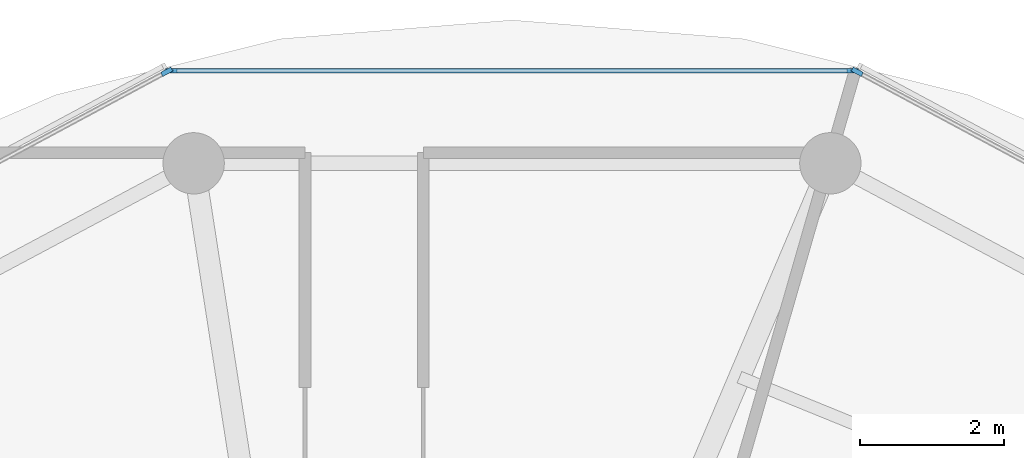
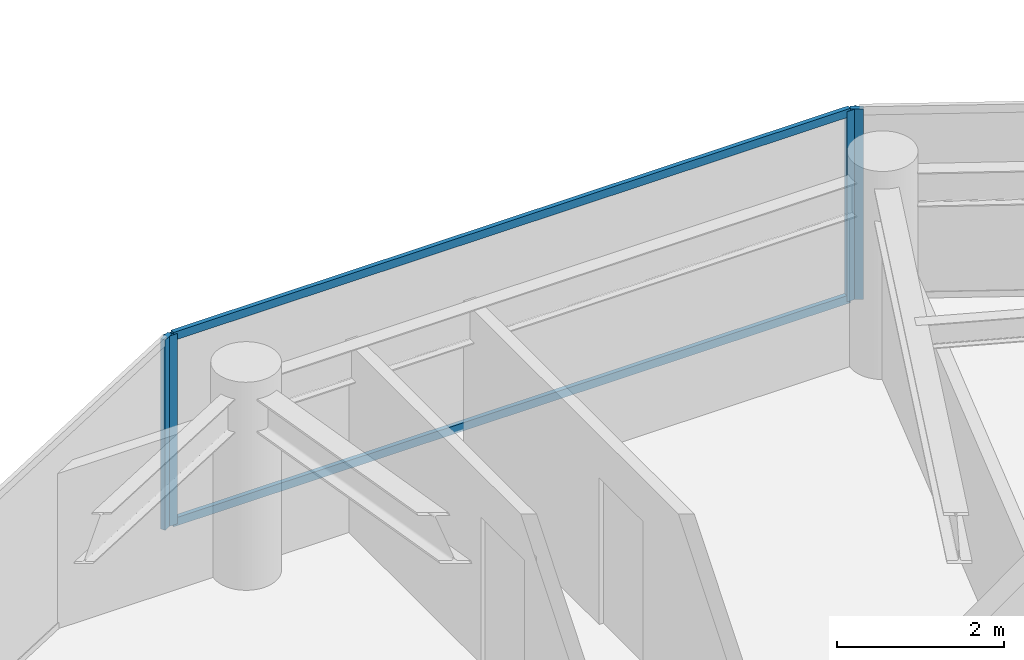
# One storey, part 9 of 22: 6 members, 3 elements without a shape of their own.
"""IFC4 building model written with IfcOpenShell, lengths in metres."""

from ifc_helpers import new_model, si_unit, direction, frame, origin, origin_2d, place, context, subcontext, project, spatial, rectangle, extrude, source, transform, mapped, material, layer, layer_set, material_profile, profile_set, type_object, type_shapes, element, aggregate, save


model = new_model("IFC4")

# Units and contexts
model_context = context("Model", 3, precision=1e-05, world=origin(), true_north=direction((0.0, 1.0)))
body_context = subcontext(model_context, "Body", "Model", "MODEL_VIEW")
ifc_project = project(units=[si_unit("LENGTHUNIT", "METRE"), si_unit("AREAUNIT", "SQUARE_METRE"), si_unit("VOLUMEUNIT", "CUBIC_METRE"), si_unit("PLANEANGLEUNIT", "RADIAN"), si_unit("MASSUNIT", "GRAM", prefix="KILO")], contexts=[model_context])

# Site, building, storey
site_placement = place(None, origin())
site = spatial("IfcSite", under=ifc_project, at=site_placement, CompositionType="ELEMENT")
building_placement = place(site_placement, origin())
building = spatial("IfcBuilding", under=site, at=building_placement, Name="Norrkilde Senior Care Towers", CompositionType="ELEMENT")
storey_placement = place(building_placement, frame((0.0, 0.0, 96.25)))
storey = spatial("IfcBuildingStorey", under=building, at=storey_placement, Name="L29", CompositionType="ELEMENT", Elevation=96.25)

# Curtain wall, member
ifc_material_1 = material(Name="Triple Low-E Insulated Glazing", Category="glass")
ifc_layer = layer(ifc_material_1, 0.195068359375)
ifc_layer_set = layer_set([ifc_layer], Name="Triple Low-E Insulated Glazing")
curtain_wall_type = type_object("IfcCurtainWallType", Name="CW3 Zone 2 Assisted Living Curtain Wall", PredefinedType="NOTDEFINED", material=ifc_layer_set)
curtain_wall_1_placement = place(storey_placement, origin())
curtain_wall_1 = element("IfcCurtainWall", 1, at=curtain_wall_1_placement, inside=storey, type_object=curtain_wall_type, Name="L29 Drum W Curtain Wall 01", PredefinedType="NOTDEFINED")
ifc_material_2 = material(Name="Anodised Aluminium", Category="aluminium")
ifc_material_profile_1 = material_profile(ifc_material_2, rectangle(XDim=0.06494140625, YDim=0.159912109375, at=origin_2d()), Name="ALU MULL 65x160")
ifc_profile_set_1 = profile_set([ifc_material_profile_1], Name="Anodised Aluminium")
member_type_1 = type_object("IfcMemberType", Name="Curtain Wall Mullion Z1-Z2 65x160", PredefinedType="MULLION", material=ifc_profile_set_1)
shared_shape_1 = source(origin(), body_context, "Body", "SweptSolid", [
    extrude(rectangle(XDim=0.06494140625, YDim=0.159912109375, at=origin_2d()), origin(), (0.0, 0.0, 1.0), 2.7900390625),
])
type_shapes(member_type_1, [shared_shape_1])
member_1_placement = place(storey_placement, frame((-21.164306640625, 16.482666015625, 0.0), z_axis=(0.0, 0.0, 1.0), x_axis=(0.472769402511, 0.881186184668, 0.0)))
member_1 = element("IfcMember", 2, at=member_1_placement, type_object=member_type_1, Name="CW-3 mullion 1", PredefinedType="MULLION", context=body_context, shape_type="MappedRepresentation", body=[
    mapped(shared_shape_1, transform((0.0, 0.0, 0.0), x_axis=(1.0, 0.0, 0.0), y_axis=(0.0, 1.0, 0.0), z_axis=(0.0, 0.0, 1.0), scale=1.0)),
])
aggregate(curtain_wall_1, [member_1])

# Curtain wall, members
curtain_wall_2_placement = place(storey_placement, origin())
curtain_wall_2 = element("IfcCurtainWall", 3, at=curtain_wall_2_placement, inside=storey, type_object=curtain_wall_type, Name="L29 Drum W Curtain Wall 02", PredefinedType="NOTDEFINED")
member_2_placement = place(storey_placement, frame((-30.674560546875, 16.498046875, 0.0), z_axis=(0.0, 0.0, 1.0), x_axis=(0.0, 1.0, 0.0)))
member_2 = element("IfcMember", 4, at=member_2_placement, type_object=member_type_1, Name="CW-3 mullion 1", PredefinedType="MULLION", context=body_context, shape_type="MappedRepresentation", body=[
    mapped(shared_shape_1, transform((0.0, 0.0, 0.0), x_axis=(1.0, 0.0, 0.0), y_axis=(0.0, 1.0, 0.0), z_axis=(0.0, 0.0, 1.0), scale=1.0)),
])
member_3_placement = place(storey_placement, frame((-21.225341796875, 16.498046875, 0.0), z_axis=(0.0, 0.0, 1.0), x_axis=(0.0, 1.0, 0.0)))
member_3 = element("IfcMember", 5, at=member_3_placement, type_object=member_type_1, Name="CW-3 mullion 2", PredefinedType="MULLION", context=body_context, shape_type="MappedRepresentation", body=[
    mapped(shared_shape_1, transform((0.0, 0.0, 0.0), x_axis=(1.0, 0.0, 0.0), y_axis=(0.0, 1.0, 0.0), z_axis=(0.0, 0.0, 1.0), scale=1.0)),
])

# Curtain wall, member
curtain_wall_3_placement = place(storey_placement, origin())
curtain_wall_3 = element("IfcCurtainWall", 6, at=curtain_wall_3_placement, inside=storey, type_object=curtain_wall_type, Name="L29 Drum W Curtain Wall 03", PredefinedType="NOTDEFINED")
member_4_placement = place(storey_placement, frame((-30.73583984375, 16.482666015625, 0.0), z_axis=(0.0, 0.0, 1.0), x_axis=(-0.472769402511, 0.881186184668, 0.0)))
member_4 = element("IfcMember", 7, at=member_4_placement, type_object=member_type_1, Name="CW-3 mullion 2", PredefinedType="MULLION", context=body_context, shape_type="MappedRepresentation", body=[
    mapped(shared_shape_1, transform((0.0, 0.0, 0.0), x_axis=(1.0, 0.0, 0.0), y_axis=(0.0, 1.0, 0.0), z_axis=(0.0, 0.0, 1.0), scale=1.0)),
])
aggregate(curtain_wall_3, [member_4])

# Member
ifc_material_profile_2 = material_profile(ifc_material_2, rectangle(XDim=0.06005859375, YDim=0.1201171875, at=origin_2d()), Name="ALU TRAN 60x120")
ifc_profile_set_2 = profile_set([ifc_material_profile_2], Name="Anodised Aluminium")
member_type_2 = type_object("IfcMemberType", Name="Curtain Wall Transom Typical 60x120", PredefinedType="USERDEFINED", material=ifc_profile_set_2)
shared_shape_2 = source(origin(), body_context, "Body", "SweptSolid", [
    extrude(rectangle(XDim=0.06005859375, YDim=0.1201171875, at=origin_2d()), origin(), (0.0, 0.0, 1.0), 9.38427734375),
])
type_shapes(member_type_2, [shared_shape_2])
member_5_placement = place(storey_placement, frame((-30.64208984375, 16.498046875, 0.030029296875), z_axis=(1.0, 0.0, 0.0), x_axis=(0.0, 1.0, 0.0)))
member_5 = element("IfcMember", 8, at=member_5_placement, type_object=member_type_2, Name="CW-3 transom 1.1", ObjectType="TRANSOM", PredefinedType="USERDEFINED", context=body_context, shape_type="MappedRepresentation", body=[
    mapped(shared_shape_2, transform((0.0, 0.0, 0.0), x_axis=(1.0, 0.0, 0.0), y_axis=(0.0, 1.0, 0.0), z_axis=(0.0, 0.0, 1.0), scale=1.0)),
])

member_6_placement = place(storey_placement, frame((-30.64208984375, 16.498046875, 2.760009765625), z_axis=(1.0, 0.0, 0.0), x_axis=(0.0, 1.0, 0.0)))
member_6 = element("IfcMember", 9, at=member_6_placement, type_object=member_type_2, Name="CW-3 transom 1.2", ObjectType="TRANSOM", PredefinedType="USERDEFINED", context=body_context, shape_type="MappedRepresentation", body=[
    mapped(shared_shape_2, transform((0.0, 0.0, 0.0), x_axis=(1.0, 0.0, 0.0), y_axis=(0.0, 1.0, 0.0), z_axis=(0.0, 0.0, 1.0), scale=1.0)),
])

aggregate(curtain_wall_2, [member_2, member_3, member_5, member_6])

save(model, "model.ifc")
